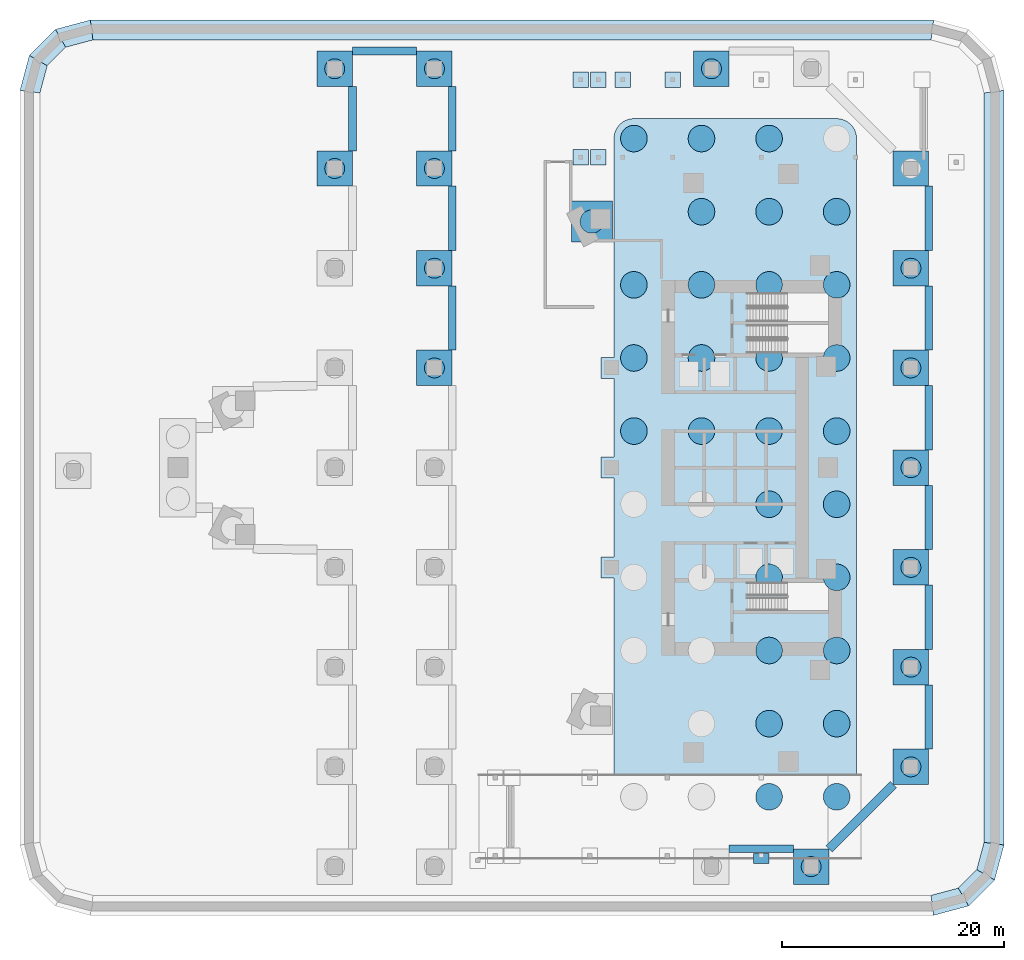
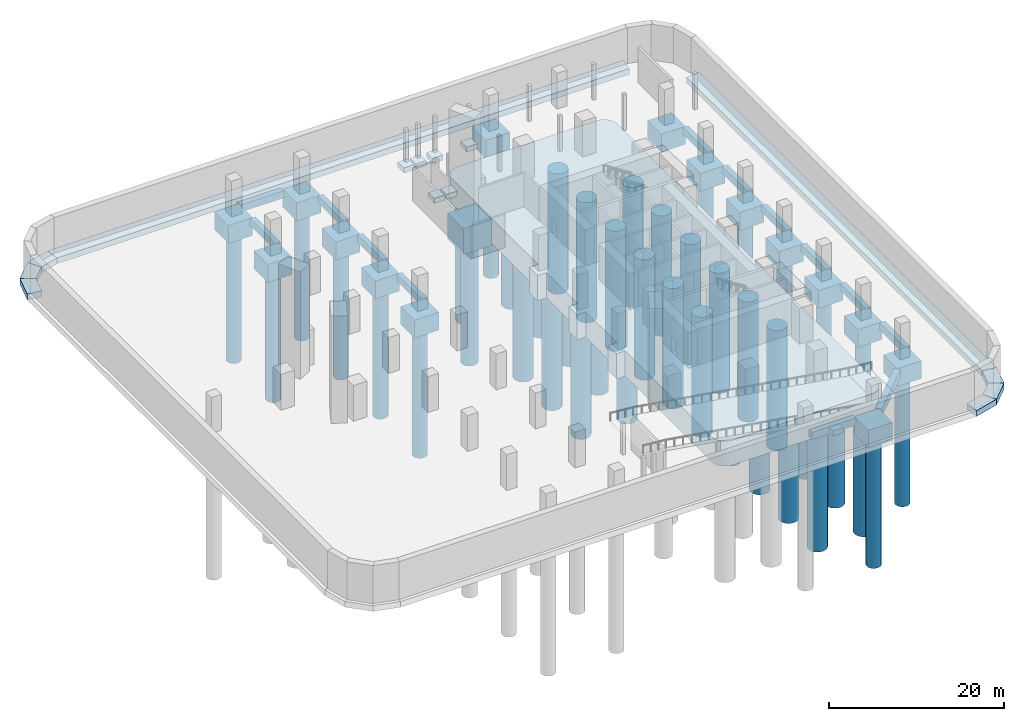
# One storey, part 2 of 11: 45 footings, 43 piles.
"""IFC4 building model written with IfcOpenShell, lengths in metres."""

from ifc_helpers import new_model, si_unit, direction, frame, origin, origin_2d, place, context, subcontext, project, spatial, polyline, circle, outline, extrude, material, layer, layer_set, type_object, element, save


model = new_model("IFC4")

# Units and contexts
model_context = context("Model", 3, precision=1e-05, world=origin(), true_north=direction((0.0, 1.0)))
body_context = subcontext(model_context, "Body", "Model", "MODEL_VIEW")
ifc_project = project(units=[si_unit("LENGTHUNIT", "METRE"), si_unit("AREAUNIT", "SQUARE_METRE"), si_unit("VOLUMEUNIT", "CUBIC_METRE"), si_unit("PLANEANGLEUNIT", "RADIAN"), si_unit("MASSUNIT", "GRAM", prefix="KILO")], contexts=[model_context])

# Site, building, storey
site_placement = place(None, origin())
site = spatial("IfcSite", under=ifc_project, at=site_placement, CompositionType="ELEMENT")
building_placement = place(site_placement, origin())
building = spatial("IfcBuilding", under=site, at=building_placement, Name="Ostrand Prow Hotel Tower", CompositionType="ELEMENT")
storey_placement = place(building_placement, frame((0.0, 0.0, -10.0)))
storey = spatial("IfcBuildingStorey", under=building, at=storey_placement, Name="B2", CompositionType="ELEMENT", Elevation=-10.0)

# Piles
ifc_material_1 = material(Name="Concrete C50/60", Category="concrete")
pile_type_1 = type_object("IfcPileType", Name="Bored caisson D1800", PredefinedType="BORED", material=ifc_material_1)
for number, where, z_axis, x_axis, name in (
    (1, (20.0, 27.0, -2.699951171875), (0.0, 0.0, -1.0), (1.0, 0.0, 0.0), "Caisson 007"),
    (2, (20.0, 36.0, -2.699951171875), (0.0, 0.0, -1.0), (1.0, 0.0, 0.0), "Caisson 008"),
    (3, (29.0, 18.0, -2.699951171875), (0.0, 0.0, -1.0), (1.0, 0.0, 0.0), "Caisson 015"),
    (4, (29.0, 27.0, -2.699951171875), (0.0, 0.0, -1.0), (1.0, 0.0, 0.0), "Caisson 016"),
    (5, (29.0, 36.0, -2.699951171875), (0.0, 0.0, -1.0), (1.0, 0.0, 0.0), "Caisson 017"),
    (6, (29.0, 9.0, -2.699951171875), (0.0, 0.0, -1.0), (1.0, 0.0, 0.0), "Caisson 018"),
    (7, (54.0, 36.0, -2.699951171875), (0.0, 0.0, -1.0), (1.0, 0.0, 0.0), "Caisson 023"),
    (8, (63.0, -36.0, -2.699951171875), (0.0, 0.0, -1.0), (1.0, 0.0, 0.0), "Caisson 026"),
    (9, (72.0, 0.0, -2.699951171875), (0.0, 0.0, -1.0), (1.0, 0.0, 0.0), "Caisson 027"),
    (10, (72.0, 18.0, -2.699951171875), (0.0, 0.0, -1.0), (1.0, 0.0, 0.0), "Caisson 028"),
    (11, (72.0, 9.0, -2.699951171875), (0.0, 0.0, -1.0), (1.0, 0.0, 0.0), "Caisson 030"),
    (12, (72.0, -18.0, -2.699951171875), (0.0, 0.0, -1.0), (1.0, 0.0, 0.0), "Caisson 031"),
    (13, (72.0, -27.0, -2.699951171875), (0.0, 0.0, -1.0), (1.0, 0.0, 0.0), "Caisson 032"),
    (14, (72.0, -9.0, -2.699951171875), (0.0, 0.0, -1.0), (1.0, 0.0, 0.0), "Caisson 033"),
):
    element("IfcPile", number, at=place(storey_placement, frame(where, z_axis=z_axis, x_axis=x_axis)), inside=storey, type_object=pile_type_1, Name=name, PredefinedType="BORED", context=body_context, shape_type="SweptSolid", body=[
        extrude(circle(Radius=0.89990234375, at=origin_2d()), origin(), (0.0, 0.0, 1.0), 17.800048828125),
    ])
ifc_material_2 = material(Name="Concrete C50/60", Category="concrete")
pile_type_2 = type_object("IfcPileType", Name="Bored caisson D2100", PredefinedType="BORED", material=ifc_material_2)
pile_placement = place(storey_placement, frame((43.199951171875, 22.208984375, -3.800048828125), z_axis=(0.0, 0.0, -1.0), x_axis=(1.0, 0.0, 0.0)))
element("IfcPile", 15, at=pile_placement, inside=storey, type_object=pile_type_2, Name="Caisson 001", PredefinedType="BORED", context=body_context, shape_type="SweptSolid", body=[
    extrude(circle(Radius=1.050048828125, at=origin_2d()), origin(), (0.0, 0.0, 1.0), 16.699951171875),
])
ifc_material_3 = material(Name="Concrete C50/60", Category="concrete")
pile_type_3 = type_object("IfcPileType", Name="Bored caisson D2400", PredefinedType="BORED", material=ifc_material_3)
for number, where, z_axis, x_axis, name in (
    (16, (47.0, 3.300048828125, -3.699951171875), (0.0, 0.0, -1.0), (1.0, 0.0, 0.0), "Caisson 041"),
    (17, (47.0, 9.89990234375, -3.699951171875), (0.0, 0.0, -1.0), (1.0, 0.0, 0.0), "Caisson 042"),
    (18, (47.0, 16.5, -3.699951171875), (0.0, 0.0, -1.0), (1.0, 0.0, 0.0), "Caisson 043"),
    (19, (47.0, 29.699951171875, -3.699951171875), (0.0, 0.0, -1.0), (1.0, 0.0, 0.0), "Caisson 044"),
    (20, (53.10009765625, 3.300048828125, -3.699951171875), (0.0, 0.0, -1.0), (1.0, 0.0, 0.0), "Caisson 050"),
    (21, (53.10009765625, 9.89990234375, -3.699951171875), (0.0, 0.0, -1.0), (1.0, 0.0, 0.0), "Caisson 051"),
    (22, (53.10009765625, 16.5, -3.699951171875), (0.0, 0.0, -1.0), (1.0, 0.0, 0.0), "Caisson 052"),
    (23, (53.10009765625, 23.10009765625, -3.699951171875), (0.0, 0.0, -1.0), (1.0, 0.0, 0.0), "Caisson 053"),
    (24, (53.10009765625, 29.699951171875, -3.699951171875), (0.0, 0.0, -1.0), (1.0, 0.0, 0.0), "Caisson 054"),
    (25, (59.199951171875, -29.699951171875, -3.699951171875), (0.0, 0.0, -1.0), (1.0, 0.0, 0.0), "Caisson 055"),
    (26, (59.199951171875, -23.10009765625, -3.699951171875), (0.0, 0.0, -1.0), (1.0, 0.0, 0.0), "Caisson 056"),
    (27, (59.199951171875, -16.5, -3.699951171875), (0.0, 0.0, -1.0), (1.0, 0.0, 0.0), "Caisson 057"),
    (28, (59.199951171875, -9.89990234375, -3.699951171875), (0.0, 0.0, -1.0), (1.0, 0.0, 0.0), "Caisson 058"),
    (29, (59.199951171875, -3.300048828125, -3.699951171875), (0.0, 0.0, -1.0), (1.0, 0.0, 0.0), "Caisson 059"),
    (30, (59.199951171875, 3.300048828125, -3.699951171875), (0.0, 0.0, -1.0), (1.0, 0.0, 0.0), "Caisson 060"),
    (31, (59.199951171875, 9.89990234375, -3.699951171875), (0.0, 0.0, -1.0), (1.0, 0.0, 0.0), "Caisson 061"),
    (32, (59.199951171875, 16.5, -3.699951171875), (0.0, 0.0, -1.0), (1.0, 0.0, 0.0), "Caisson 062"),
    (33, (59.199951171875, 23.10009765625, -3.699951171875), (0.0, 0.0, -1.0), (1.0, 0.0, 0.0), "Caisson 063"),
    (34, (59.199951171875, 29.699951171875, -3.699951171875), (0.0, 0.0, -1.0), (1.0, 0.0, 0.0), "Caisson 064"),
    (35, (65.300048828125, -29.699951171875, -3.699951171875), (0.0, 0.0, -1.0), (1.0, 0.0, 0.0), "Caisson 065"),
    (36, (65.300048828125, -23.10009765625, -3.699951171875), (0.0, 0.0, -1.0), (1.0, 0.0, 0.0), "Caisson 066"),
    (37, (65.300048828125, -16.5, -3.699951171875), (0.0, 0.0, -1.0), (1.0, 0.0, 0.0), "Caisson 067"),
    (38, (65.300048828125, -9.89990234375, -3.699951171875), (0.0, 0.0, -1.0), (1.0, 0.0, 0.0), "Caisson 068"),
    (39, (65.300048828125, -3.300048828125, -3.699951171875), (0.0, 0.0, -1.0), (1.0, 0.0, 0.0), "Caisson 069"),
    (40, (65.300048828125, 3.300048828125, -3.699951171875), (0.0, 0.0, -1.0), (1.0, 0.0, 0.0), "Caisson 070"),
    (41, (65.300048828125, 9.89990234375, -3.699951171875), (0.0, 0.0, -1.0), (1.0, 0.0, 0.0), "Caisson 071"),
    (42, (65.300048828125, 16.5, -3.699951171875), (0.0, 0.0, -1.0), (1.0, 0.0, 0.0), "Caisson 072"),
    (43, (65.300048828125, 23.10009765625, -3.699951171875), (0.0, 0.0, -1.0), (1.0, 0.0, 0.0), "Caisson 073"),
):
    element("IfcPile", number, at=place(storey_placement, frame(where, z_axis=z_axis, x_axis=x_axis)), inside=storey, type_object=pile_type_3, Name=name, PredefinedType="BORED", context=body_context, shape_type="SweptSolid", body=[
        extrude(circle(Radius=1.199951171875, at=origin_2d()), origin(), (0.0, 0.0, 1.0), 16.800048828125),
    ])

# Footings
ifc_material_4 = material(Name="Concrete C40/50", Category="concrete")
footing_type_1 = type_object("IfcFootingType", Name="Ground tie beam 700x1000 C40/50", PredefinedType="FOOTING_BEAM", material=ifc_material_4)
footing_1_placement = place(storey_placement, frame((0.0, 0.0, -1.300048828125)))
element("IfcFooting", 44, at=footing_1_placement, inside=storey, type_object=footing_type_1, Name="Ground tie beam 07", PredefinedType="FOOTING_BEAM", context=body_context, shape_type="SweptSolid", body=[
    extrude(outline(polyline([(21.25, 34.39990234375), (21.949951171875, 34.39990234375), (21.949951171875, 28.60009765625), (21.25, 28.60009765625), (21.25, 34.39990234375)])), origin(), (0.0, 0.0, 1.0), 1.0),
])
footing_2_placement = place(storey_placement, frame((0.0, 0.0, -1.300048828125)))
element("IfcFooting", 45, at=footing_2_placement, inside=storey, type_object=footing_type_1, Name="Ground tie beam 08", PredefinedType="FOOTING_BEAM", context=body_context, shape_type="SweptSolid", body=[
    extrude(outline(polyline([(27.39990234375, 37.949951171875), (27.39990234375, 37.25), (21.60009765625, 37.25), (21.60009765625, 37.949951171875), (27.39990234375, 37.949951171875)])), origin(), (0.0, 0.0, 1.0), 1.0),
])
footing_3_placement = place(storey_placement, frame((0.0, 0.0, -1.300048828125)))
element("IfcFooting", 46, at=footing_3_placement, inside=storey, type_object=footing_type_1, Name="Ground tie beam 13", PredefinedType="FOOTING_BEAM", context=body_context, shape_type="SweptSolid", body=[
    extrude(outline(polyline([(30.25, 25.39990234375), (30.949951171875, 25.39990234375), (30.949951171875, 19.60009765625), (30.25, 19.60009765625), (30.25, 25.39990234375)])), origin(), (0.0, 0.0, 1.0), 1.0),
])
footing_4_placement = place(storey_placement, frame((0.0, 0.0, -1.300048828125)))
element("IfcFooting", 47, at=footing_4_placement, inside=storey, type_object=footing_type_1, Name="Ground tie beam 14", PredefinedType="FOOTING_BEAM", context=body_context, shape_type="SweptSolid", body=[
    extrude(outline(polyline([(30.949951171875, 10.60009765625), (30.25, 10.60009765625), (30.25, 16.39990234375), (30.949951171875, 16.39990234375), (30.949951171875, 10.60009765625)])), origin(), (0.0, 0.0, 1.0), 1.0),
])
footing_5_placement = place(storey_placement, frame((0.0, 0.0, -1.300048828125)))
element("IfcFooting", 48, at=footing_5_placement, inside=storey, type_object=footing_type_1, Name="Ground tie beam 15", PredefinedType="FOOTING_BEAM", context=body_context, shape_type="SweptSolid", body=[
    extrude(outline(polyline([(30.25, 34.39990234375), (30.949951171875, 34.39990234375), (30.949951171875, 28.60009765625), (30.25, 28.60009765625), (30.25, 34.39990234375)])), origin(), (0.0, 0.0, 1.0), 1.0),
])
footing_6_placement = place(storey_placement, frame((0.0, 0.0, -1.300048828125)))
element("IfcFooting", 49, at=footing_6_placement, inside=storey, type_object=footing_type_1, Name="Ground tie beam 21", PredefinedType="FOOTING_BEAM", context=body_context, shape_type="SweptSolid", body=[
    extrude(outline(polyline([(61.39990234375, -34.050048828125), (61.39990234375, -34.75), (55.60009765625, -34.75), (55.60009765625, -34.050048828125), (61.39990234375, -34.050048828125)])), origin(), (0.0, 0.0, 1.0), 1.0),
])
footing_7_placement = place(storey_placement, frame((0.0, 0.0, -1.300048828125)))
element("IfcFooting", 50, at=footing_7_placement, inside=storey, type_object=footing_type_1, Name="Ground tie beam 22", PredefinedType="FOOTING_BEAM", context=body_context, shape_type="SweptSolid", body=[
    extrude(outline(polyline([(73.25, 7.39990234375), (73.949951171875, 7.39990234375), (73.949951171875, 1.60009765625), (73.25, 1.60009765625), (73.25, 7.39990234375)])), origin(), (0.0, 0.0, 1.0), 1.0),
])
footing_8_placement = place(storey_placement, frame((0.0, 0.0, -1.300048828125)))
element("IfcFooting", 51, at=footing_8_placement, inside=storey, type_object=footing_type_1, Name="Ground tie beam 23", PredefinedType="FOOTING_BEAM", context=body_context, shape_type="SweptSolid", body=[
    extrude(outline(polyline([(73.949951171875, -7.39990234375), (73.25, -7.39990234375), (73.25, -1.60009765625), (73.949951171875, -1.60009765625), (73.949951171875, -7.39990234375)])), origin(), (0.0, 0.0, 1.0), 1.0),
])
footing_9_placement = place(storey_placement, frame((0.0, 0.0, -1.300048828125)))
element("IfcFooting", 52, at=footing_9_placement, inside=storey, type_object=footing_type_1, Name="Ground tie beam 24", PredefinedType="FOOTING_BEAM", context=body_context, shape_type="SweptSolid", body=[
    extrude(outline(polyline([(73.25, 25.39990234375), (73.949951171875, 25.39990234375), (73.949951171875, 19.60009765625), (73.25, 19.60009765625), (73.25, 25.39990234375)])), origin(), (0.0, 0.0, 1.0), 1.0),
])
footing_10_placement = place(storey_placement, frame((0.0, 0.0, -1.300048828125)))
element("IfcFooting", 53, at=footing_10_placement, inside=storey, type_object=footing_type_1, Name="Ground tie beam 25", PredefinedType="FOOTING_BEAM", context=body_context, shape_type="SweptSolid", body=[
    extrude(outline(polyline([(73.949951171875, 10.60009765625), (73.25, 10.60009765625), (73.25, 16.39990234375), (73.949951171875, 16.39990234375), (73.949951171875, 10.60009765625)])), origin(), (0.0, 0.0, 1.0), 1.0),
])
footing_11_placement = place(storey_placement, frame((0.0, 0.0, -1.300048828125)))
element("IfcFooting", 54, at=footing_11_placement, inside=storey, type_object=footing_type_1, Name="Ground tie beam 26", PredefinedType="FOOTING_BEAM", context=body_context, shape_type="SweptSolid", body=[
    extrude(outline(polyline([(73.25, -10.60009765625), (73.949951171875, -10.60009765625), (73.949951171875, -16.39990234375), (73.25, -16.39990234375), (73.25, -10.60009765625)])), origin(), (0.0, 0.0, 1.0), 1.0),
])
footing_12_placement = place(storey_placement, frame((0.0, 0.0, -1.300048828125)))
element("IfcFooting", 55, at=footing_12_placement, inside=storey, type_object=footing_type_1, Name="Ground tie beam 27", PredefinedType="FOOTING_BEAM", context=body_context, shape_type="SweptSolid", body=[
    extrude(outline(polyline([(73.25, -19.60009765625), (73.949951171875, -19.60009765625), (73.949951171875, -25.39990234375), (73.25, -25.39990234375), (73.25, -19.60009765625)])), origin(), (0.0, 0.0, 1.0), 1.0),
])
ifc_material_5 = material(Name="Concrete C40/50", Category="concrete")
footing_type_2 = type_object("IfcFootingType", Name="Ground tie beam 800x1100 C40/50", PredefinedType="FOOTING_BEAM", material=ifc_material_5)
footing_13_placement = place(storey_placement, frame((0.0, 0.0, -1.39990234375)))
element("IfcFooting", 56, at=footing_13_placement, inside=storey, type_object=footing_type_2, Name="Ground tie beam 29", PredefinedType="FOOTING_BEAM", context=body_context, shape_type="SweptSolid", body=[
    extrude(outline(polyline([(70.1171875, -28.317138671875), (70.682861328125, -28.8828125), (64.8828125, -34.682861328125), (64.317138671875, -34.1171875), (70.1171875, -28.317138671875)])), origin(), (0.0, 0.0, 1.0), 1.099853515625),
])
ifc_material_6 = material(Name="Concrete C40/50", Category="concrete")
ifc_layer_1 = layer(ifc_material_6, 0.699951171875)
ifc_layer_set_1 = layer_set([ifc_layer_1], Name="Concrete C40/50")
footing_type_3 = type_object("IfcFootingType", Name="Pad footing 1400x1400 C40/50", PredefinedType="PAD_FOOTING", material=ifc_layer_set_1)
footing_14_placement = place(storey_placement, frame((0.0, 0.0, -1.0)))
element("IfcFooting", 57, at=footing_14_placement, inside=storey, type_object=footing_type_3, Name="Ramp support pad footing", PredefinedType="PAD_FOOTING", context=body_context, shape_type="SweptSolid", body=[
    extrude(outline(polyline([(41.5, 27.300048828125), (42.89990234375, 27.300048828125), (42.89990234375, 28.699951171875), (41.5, 28.699951171875), (41.5, 27.300048828125)])), origin(), (0.0, 0.0, 1.0), 0.699951171875),
])
footing_15_placement = place(storey_placement, frame((0.0, 0.0, -1.0)))
element("IfcFooting", 58, at=footing_15_placement, inside=storey, type_object=footing_type_3, Name="Ramp support pad footing", PredefinedType="PAD_FOOTING", context=body_context, shape_type="SweptSolid", body=[
    extrude(outline(polyline([(41.5, 34.300048828125), (42.89990234375, 34.300048828125), (42.89990234375, 35.699951171875), (41.5, 35.699951171875), (41.5, 34.300048828125)])), origin(), (0.0, 0.0, 1.0), 0.699951171875),
])
footing_16_placement = place(storey_placement, frame((0.0, 0.0, -1.0)))
element("IfcFooting", 59, at=footing_16_placement, inside=storey, type_object=footing_type_3, Name="Ramp support pad footing", PredefinedType="PAD_FOOTING", context=body_context, shape_type="SweptSolid", body=[
    extrude(outline(polyline([(43.10009765625, 27.300048828125), (44.5, 27.300048828125), (44.5, 28.699951171875), (43.10009765625, 28.699951171875), (43.10009765625, 27.300048828125)])), origin(), (0.0, 0.0, 1.0), 0.699951171875),
])
footing_17_placement = place(storey_placement, frame((0.0, 0.0, -1.0)))
element("IfcFooting", 60, at=footing_17_placement, inside=storey, type_object=footing_type_3, Name="Ramp support pad footing", PredefinedType="PAD_FOOTING", context=body_context, shape_type="SweptSolid", body=[
    extrude(outline(polyline([(43.10009765625, 34.300048828125), (44.5, 34.300048828125), (44.5, 35.699951171875), (43.10009765625, 35.699951171875), (43.10009765625, 34.300048828125)])), origin(), (0.0, 0.0, 1.0), 0.699951171875),
])
footing_18_placement = place(storey_placement, frame((0.0, 0.0, -1.0)))
element("IfcFooting", 61, at=footing_18_placement, inside=storey, type_object=footing_type_3, Name="Ramp support pad footing", PredefinedType="PAD_FOOTING", context=body_context, shape_type="SweptSolid", body=[
    extrude(outline(polyline([(45.300048828125, 34.300048828125), (46.699951171875, 34.300048828125), (46.699951171875, 35.699951171875), (45.300048828125, 35.699951171875), (45.300048828125, 34.300048828125)])), origin(), (0.0, 0.0, 1.0), 0.699951171875),
])
footing_19_placement = place(storey_placement, frame((0.0, 0.0, -1.0)))
element("IfcFooting", 62, at=footing_19_placement, inside=storey, type_object=footing_type_3, Name="Ramp support pad footing", PredefinedType="PAD_FOOTING", context=body_context, shape_type="SweptSolid", body=[
    extrude(outline(polyline([(49.800048828125, 34.300048828125), (51.199951171875, 34.300048828125), (51.199951171875, 35.699951171875), (49.800048828125, 35.699951171875), (49.800048828125, 34.300048828125)])), origin(), (0.0, 0.0, 1.0), 0.699951171875),
])
footing_20_placement = place(storey_placement, frame((0.0, 0.0, -1.0)))
element("IfcFooting", 63, at=footing_20_placement, inside=storey, type_object=footing_type_3, Name="Ramp support pad footing", PredefinedType="PAD_FOOTING", context=body_context, shape_type="SweptSolid", body=[
    extrude(outline(polyline([(59.199951171875, -35.699951171875), (57.800048828125, -35.699951171875), (57.800048828125, -34.800048828125), (59.199951171875, -34.800048828125), (59.199951171875, -35.699951171875)])), origin(), (0.0, 0.0, 1.0), 0.699951171875),
])
ifc_material_7 = material(Name="Concrete C50/60", Category="concrete")
ifc_layer_2 = layer(ifc_material_7, 2.5)
ifc_layer_set_2 = layer_set([ifc_layer_2], Name="Concrete C50/60")
footing_type_4 = type_object("IfcFootingType", Name="Pile cap 2500 C50/60", PredefinedType="PILE_CAP", material=ifc_layer_set_2)
footing_21_placement = place(storey_placement, frame((0.0, 0.0, -2.800048828125)))
element("IfcFooting", 64, at=footing_21_placement, inside=storey, type_object=footing_type_4, Name="Pile cap CAP-IC-20N27", PredefinedType="PILE_CAP", context=body_context, shape_type="SweptSolid", body=[
    extrude(outline(polyline([(21.60009765625, 25.39990234375), (21.60009765625, 28.60009765625), (18.39990234375, 28.60009765625), (18.39990234375, 25.39990234375), (21.60009765625, 25.39990234375)])), origin(), (0.0, 0.0, 1.0), 2.5),
])
footing_22_placement = place(storey_placement, frame((0.0, 0.0, -2.800048828125)))
element("IfcFooting", 65, at=footing_22_placement, inside=storey, type_object=footing_type_4, Name="Pile cap CAP-IC-20N36", PredefinedType="PILE_CAP", context=body_context, shape_type="SweptSolid", body=[
    extrude(outline(polyline([(21.60009765625, 34.39990234375), (21.60009765625, 37.60009765625), (18.39990234375, 37.60009765625), (18.39990234375, 34.39990234375), (21.60009765625, 34.39990234375)])), origin(), (0.0, 0.0, 1.0), 2.5),
])
footing_23_placement = place(storey_placement, frame((0.0, 0.0, -2.800048828125)))
element("IfcFooting", 66, at=footing_23_placement, inside=storey, type_object=footing_type_4, Name="Pile cap CAP-IC-29N18", PredefinedType="PILE_CAP", context=body_context, shape_type="SweptSolid", body=[
    extrude(outline(polyline([(30.60009765625, 16.39990234375), (30.60009765625, 19.60009765625), (27.39990234375, 19.60009765625), (27.39990234375, 16.39990234375), (30.60009765625, 16.39990234375)])), origin(), (0.0, 0.0, 1.0), 2.5),
])
footing_24_placement = place(storey_placement, frame((0.0, 0.0, -2.800048828125)))
element("IfcFooting", 67, at=footing_24_placement, inside=storey, type_object=footing_type_4, Name="Pile cap CAP-IC-29N27", PredefinedType="PILE_CAP", context=body_context, shape_type="SweptSolid", body=[
    extrude(outline(polyline([(30.60009765625, 25.39990234375), (30.60009765625, 28.60009765625), (27.39990234375, 28.60009765625), (27.39990234375, 25.39990234375), (30.60009765625, 25.39990234375)])), origin(), (0.0, 0.0, 1.0), 2.5),
])
footing_25_placement = place(storey_placement, frame((0.0, 0.0, -2.800048828125)))
element("IfcFooting", 68, at=footing_25_placement, inside=storey, type_object=footing_type_4, Name="Pile cap CAP-IC-29N36", PredefinedType="PILE_CAP", context=body_context, shape_type="SweptSolid", body=[
    extrude(outline(polyline([(30.60009765625, 34.39990234375), (30.60009765625, 37.60009765625), (27.39990234375, 37.60009765625), (27.39990234375, 34.39990234375), (30.60009765625, 34.39990234375)])), origin(), (0.0, 0.0, 1.0), 2.5),
])
footing_26_placement = place(storey_placement, frame((0.0, 0.0, -2.800048828125)))
element("IfcFooting", 69, at=footing_26_placement, inside=storey, type_object=footing_type_4, Name="Pile cap CAP-IC-29N9", PredefinedType="PILE_CAP", context=body_context, shape_type="SweptSolid", body=[
    extrude(outline(polyline([(30.60009765625, 7.39990234375), (30.60009765625, 10.60009765625), (27.39990234375, 10.60009765625), (27.39990234375, 7.39990234375), (30.60009765625, 7.39990234375)])), origin(), (0.0, 0.0, 1.0), 2.5),
])
footing_27_placement = place(storey_placement, frame((0.0, 0.0, -2.800048828125)))
element("IfcFooting", 70, at=footing_27_placement, inside=storey, type_object=footing_type_4, Name="Pile cap CAP-IC-54N36", PredefinedType="PILE_CAP", context=body_context, shape_type="SweptSolid", body=[
    extrude(outline(polyline([(55.60009765625, 34.39990234375), (55.60009765625, 37.60009765625), (52.39990234375, 37.60009765625), (52.39990234375, 34.39990234375), (55.60009765625, 34.39990234375)])), origin(), (0.0, 0.0, 1.0), 2.5),
])
footing_28_placement = place(storey_placement, frame((0.0, 0.0, -2.800048828125)))
element("IfcFooting", 71, at=footing_28_placement, inside=storey, type_object=footing_type_4, Name="Pile cap CAP-IC-63S36", PredefinedType="PILE_CAP", context=body_context, shape_type="SweptSolid", body=[
    extrude(outline(polyline([(64.60009765625, -37.60009765625), (64.60009765625, -34.39990234375), (61.39990234375, -34.39990234375), (61.39990234375, -37.60009765625), (64.60009765625, -37.60009765625)])), origin(), (0.0, 0.0, 1.0), 2.5),
])
footing_29_placement = place(storey_placement, frame((0.0, 0.0, -2.800048828125)))
element("IfcFooting", 72, at=footing_29_placement, inside=storey, type_object=footing_type_4, Name="Pile cap CAP-IC-72S27", PredefinedType="PILE_CAP", context=body_context, shape_type="SweptSolid", body=[
    extrude(outline(polyline([(73.60009765625, -28.60009765625), (73.60009765625, -25.39990234375), (70.39990234375, -25.39990234375), (70.39990234375, -28.60009765625), (73.60009765625, -28.60009765625)])), origin(), (0.0, 0.0, 1.0), 2.5),
])
footing_30_placement = place(storey_placement, frame((0.0, 0.0, -2.800048828125)))
element("IfcFooting", 73, at=footing_30_placement, inside=storey, type_object=footing_type_4, Name="Pile cap CAP-IC-72S18", PredefinedType="PILE_CAP", context=body_context, shape_type="SweptSolid", body=[
    extrude(outline(polyline([(73.60009765625, -19.60009765625), (73.60009765625, -16.39990234375), (70.39990234375, -16.39990234375), (70.39990234375, -19.60009765625), (73.60009765625, -19.60009765625)])), origin(), (0.0, 0.0, 1.0), 2.5),
])
footing_31_placement = place(storey_placement, frame((0.0, 0.0, -2.800048828125)))
element("IfcFooting", 74, at=footing_31_placement, inside=storey, type_object=footing_type_4, Name="Pile cap CAP-IC-72C0", PredefinedType="PILE_CAP", context=body_context, shape_type="SweptSolid", body=[
    extrude(outline(polyline([(73.60009765625, -1.60009765625), (73.60009765625, 1.60009765625), (70.39990234375, 1.60009765625), (70.39990234375, -1.60009765625), (73.60009765625, -1.60009765625)])), origin(), (0.0, 0.0, 1.0), 2.5),
])
footing_32_placement = place(storey_placement, frame((0.0, 0.0, -2.800048828125)))
element("IfcFooting", 75, at=footing_32_placement, inside=storey, type_object=footing_type_4, Name="Pile cap CAP-IC-72N18", PredefinedType="PILE_CAP", context=body_context, shape_type="SweptSolid", body=[
    extrude(outline(polyline([(73.60009765625, 16.39990234375), (73.60009765625, 19.60009765625), (70.39990234375, 19.60009765625), (70.39990234375, 16.39990234375), (73.60009765625, 16.39990234375)])), origin(), (0.0, 0.0, 1.0), 2.5),
])
footing_33_placement = place(storey_placement, frame((0.0, 0.0, -2.800048828125)))
element("IfcFooting", 76, at=footing_33_placement, inside=storey, type_object=footing_type_4, Name="Pile cap CAP-IC-72N27", PredefinedType="PILE_CAP", context=body_context, shape_type="SweptSolid", body=[
    extrude(outline(polyline([(73.60009765625, 25.39990234375), (73.60009765625, 28.60009765625), (70.39990234375, 28.60009765625), (70.39990234375, 25.39990234375), (73.60009765625, 25.39990234375)])), origin(), (0.0, 0.0, 1.0), 2.5),
])
footing_34_placement = place(storey_placement, frame((0.0, 0.0, -2.800048828125)))
element("IfcFooting", 77, at=footing_34_placement, inside=storey, type_object=footing_type_4, Name="Pile cap CAP-IC-72S9", PredefinedType="PILE_CAP", context=body_context, shape_type="SweptSolid", body=[
    extrude(outline(polyline([(73.60009765625, -10.60009765625), (73.60009765625, -7.39990234375), (70.39990234375, -7.39990234375), (70.39990234375, -10.60009765625), (73.60009765625, -10.60009765625)])), origin(), (0.0, 0.0, 1.0), 2.5),
])
footing_35_placement = place(storey_placement, frame((0.0, 0.0, -2.800048828125)))
element("IfcFooting", 78, at=footing_35_placement, inside=storey, type_object=footing_type_4, Name="Pile cap CAP-IC-72N9", PredefinedType="PILE_CAP", context=body_context, shape_type="SweptSolid", body=[
    extrude(outline(polyline([(73.60009765625, 7.39990234375), (73.60009765625, 10.60009765625), (70.39990234375, 10.60009765625), (70.39990234375, 7.39990234375), (73.60009765625, 7.39990234375)])), origin(), (0.0, 0.0, 1.0), 2.5),
])
ifc_material_8 = material(Name="Concrete C50/60", Category="concrete")
ifc_layer_3 = layer(ifc_material_8, 3.5)
ifc_layer_set_3 = layer_set([ifc_layer_3], Name="Concrete C50/60")
footing_type_5 = type_object("IfcFootingType", Name="Pile cap 3500 C50/60", PredefinedType="PILE_CAP", material=ifc_layer_set_3)
footing_36_placement = place(storey_placement, frame((0.0, 0.0, -3.800048828125)))
element("IfcFooting", 79, at=footing_36_placement, inside=storey, type_object=footing_type_5, Name="Piled raft", PredefinedType="PILE_CAP", context=body_context, shape_type="SweptSolid", body=[
    extrude(outline(polyline([(44.050048828125, 0.949951171875), (45.20068359375, 0.949951171875), (45.20068359375, 8.050048828125), (44.050048828125, 8.050048828125), (44.050048828125, 9.949951171875), (45.200439453125, 9.949951171875), (45.199951171875, 29.699951171875), (45.217529296875, 29.949462890625), (45.2734375, 30.20849609375), (45.36669921875, 30.456298828125), (45.495361328125, 30.687744140625), (45.656494140625, 30.897705078125), (45.86962890625, 31.1005859375), (46.08740234375, 31.251220703125), (46.3798828125, 31.3896484375), (46.634521484375, 31.46240234375), (46.89697265625, 31.496826171875), (65.300048828125, 31.5), (65.549560546875, 31.482421875), (65.808349609375, 31.426513671875), (66.05615234375, 31.333251953125), (66.312255859375, 31.188232421875), (66.562255859375, 30.983154296875), (66.73681640625, 30.783935546875), (66.894287109375, 30.535400390625), (66.99951171875, 30.29248046875), (67.068115234375, 30.03662109375), (67.099853515625, 29.714599609375), (67.10009765625, -29.699951171875), (67.08251953125, -29.949462890625), (67.026611328125, -30.20849609375), (66.933349609375, -30.456298828125), (66.8046875, -30.687744140625), (66.6435546875, -30.897705078125), (66.430419921875, -31.1005859375), (66.161376953125, -31.280517578125), (65.920166015625, -31.3896484375), (65.66552734375, -31.46240234375), (65.403076171875, -31.496826171875), (47.0, -31.5), (46.663330078125, -31.468017578125), (46.32470703125, -31.368408203125), (46.01220703125, -31.20458984375), (45.73779296875, -30.983154296875), (45.51171875, -30.712158203125), (45.3427734375, -30.40234375), (45.25048828125, -30.123046875), (45.20166015625, -29.773681640625), (45.201171875, -9.949951171875), (44.050048828125, -9.949951171875), (44.050048828125, -8.050048828125), (45.200927734375, -8.050048828125), (45.20068359375, -0.949951171875), (44.050048828125, -0.949951171875), (44.050048828125, 0.949951171875)])), origin(), (0.0, 0.0, 1.0), 3.5),
])
ifc_material_9 = material(Name="Concrete C50/60", Category="concrete")
ifc_layer_4 = layer(ifc_material_9, 3.60009765625)
ifc_layer_set_4 = layer_set([ifc_layer_4], Name="Concrete C50/60")
footing_type_6 = type_object("IfcFootingType", Name="Pile cap 3600 C50/60", PredefinedType="PILE_CAP", material=ifc_layer_set_4)
footing_37_placement = place(storey_placement, frame((0.0, 0.0, -3.89990234375)))
element("IfcFooting", 80, at=footing_37_placement, inside=storey, type_object=footing_type_6, Name="Pile cap CAP-AP-NE", PredefinedType="PILE_CAP", context=body_context, shape_type="SweptSolid", body=[
    extrude(outline(polyline([(45.050048828125, 20.359619140625), (45.050048828125, 24.0595703125), (41.35009765625, 24.0595703125), (41.35009765625, 20.359619140625), (45.050048828125, 20.359619140625)])), origin(), (0.0, 0.0, 1.0), 3.599853515625),
])
ifc_material_10 = material(Name="Concrete C40/50", Category="concrete")
ifc_layer_5 = layer(ifc_material_10, 0.800048828125)
ifc_layer_set_5 = layer_set([ifc_layer_5], Name="Concrete C40/50")
footing_type_7 = type_object("IfcFootingType", Name="Strip footing 800 C40/50", PredefinedType="STRIP_FOOTING", material=ifc_layer_set_5)
footing_38_placement = place(storey_placement, frame((0.0, 0.0, -1.10009765625)))
element("IfcFooting", 81, at=footing_38_placement, inside=storey, type_object=footing_type_7, Name="Strip footing 06 under retaining walls", PredefinedType="STRIP_FOOTING", context=body_context, shape_type="SweptSolid", body=[
    extrude(outline(polyline([(77.19921875, -39.541259765625), (77.1689453125, -39.55859375), (77.103515625, -39.58251953125), (74.103515625, -40.386474609375), (74.0517578125, -40.393310546875), (73.815673828125, -38.60009765625), (76.275390625, -37.94091796875), (76.275390625, -37.94091796875), (77.19921875, -39.541259765625)])), origin(), (0.0, 0.0, 1.0), 0.800048828125),
])
footing_39_placement = place(storey_placement, frame((0.0, 0.0, -1.10009765625)))
element("IfcFooting", 82, at=footing_39_placement, inside=storey, type_object=footing_type_7, Name="Strip footing 07 under retaining walls", PredefinedType="STRIP_FOOTING", context=body_context, shape_type="SweptSolid", body=[
    extrude(outline(polyline([(79.541259765625, -37.19921875), (79.523681640625, -37.2294921875), (79.47900390625, -37.28271484375), (77.28271484375, -39.47900390625), (77.2294921875, -39.523681640625), (77.19921875, -39.541259765625), (76.275390625, -37.94091796875), (77.94091796875, -36.275390625), (79.541259765625, -37.19921875)])), origin(), (0.0, 0.0, 1.0), 0.800048828125),
])
footing_40_placement = place(storey_placement, frame((0.0, 0.0, -1.10009765625)))
element("IfcFooting", 83, at=footing_40_placement, inside=storey, type_object=footing_type_7, Name="Strip footing 08 under retaining walls", PredefinedType="STRIP_FOOTING", context=body_context, shape_type="SweptSolid", body=[
    extrude(outline(polyline([(80.393310546875, -34.0517578125), (80.386474609375, -34.103515625), (79.58251953125, -37.103515625), (79.55859375, -37.1689453125), (79.541259765625, -37.19921875), (77.94091796875, -36.275390625), (78.60009765625, -33.815673828125), (78.60009765625, -33.815673828125), (80.393310546875, -34.0517578125)])), origin(), (0.0, 0.0, 1.0), 0.800048828125),
])
footing_41_placement = place(storey_placement, frame((0.0, 0.0, -1.10009765625)))
element("IfcFooting", 84, at=footing_41_placement, inside=storey, type_object=footing_type_7, Name="Strip footing 09 under retaining walls", PredefinedType="STRIP_FOOTING", context=body_context, shape_type="SweptSolid", body=[
    extrude(outline(polyline([(80.393310546875, 34.0517578125), (80.39990234375, 34.0), (80.39990234375, -34.0), (80.393310546875, -34.0517578125), (78.60009765625, -33.815673828125), (78.60009765625, 33.815673828125), (80.393310546875, 34.0517578125)])), origin(), (0.0, 0.0, 1.0), 0.800048828125),
])
footing_42_placement = place(storey_placement, frame((0.0, 0.0, -1.10009765625)))
element("IfcFooting", 85, at=footing_42_placement, inside=storey, type_object=footing_type_7, Name="Strip footing 13 under retaining walls", PredefinedType="STRIP_FOOTING", context=body_context, shape_type="SweptSolid", body=[
    extrude(outline(polyline([(-2.0517578125, 40.393310546875), (-2.0, 40.39990234375), (74.0, 40.39990234375), (74.0517578125, 40.393310546875), (73.815673828125, 38.60009765625), (73.815673828125, 38.60009765625), (-1.815673828125, 38.60009765625), (-1.815673828125, 38.60009765625), (-2.0517578125, 40.393310546875)])), origin(), (0.0, 0.0, 1.0), 0.800048828125),
])
footing_43_placement = place(storey_placement, frame((0.0, 0.0, -1.10009765625)))
element("IfcFooting", 86, at=footing_43_placement, inside=storey, type_object=footing_type_7, Name="Strip footing 14 under retaining walls", PredefinedType="STRIP_FOOTING", context=body_context, shape_type="SweptSolid", body=[
    extrude(outline(polyline([(-5.19921875, 39.541259765625), (-5.1689453125, 39.55859375), (-5.103515625, 39.58251953125), (-2.103515625, 40.386474609375), (-2.0517578125, 40.393310546875), (-1.815673828125, 38.60009765625), (-4.275390625, 37.94091796875), (-5.19921875, 39.541259765625)])), origin(), (0.0, 0.0, 1.0), 0.800048828125),
])
footing_44_placement = place(storey_placement, frame((0.0, 0.0, -1.10009765625)))
element("IfcFooting", 87, at=footing_44_placement, inside=storey, type_object=footing_type_7, Name="Strip footing 15 under retaining walls", PredefinedType="STRIP_FOOTING", context=body_context, shape_type="SweptSolid", body=[
    extrude(outline(polyline([(-7.541259765625, 37.19921875), (-7.523681640625, 37.2294921875), (-7.47900390625, 37.28271484375), (-5.28271484375, 39.47900390625), (-5.2294921875, 39.523681640625), (-5.19921875, 39.541259765625), (-4.275390625, 37.94091796875), (-4.275390625, 37.94091796875), (-5.94091796875, 36.275390625), (-7.541259765625, 37.19921875)])), origin(), (0.0, 0.0, 1.0), 0.800048828125),
])
footing_45_placement = place(storey_placement, frame((0.0, 0.0, -1.10009765625)))
element("IfcFooting", 88, at=footing_45_placement, inside=storey, type_object=footing_type_7, Name="Strip footing 16 under retaining walls", PredefinedType="STRIP_FOOTING", context=body_context, shape_type="SweptSolid", body=[
    extrude(outline(polyline([(-8.393310546875, 34.0517578125), (-8.386474609375, 34.103515625), (-7.58251953125, 37.103515625), (-7.55859375, 37.1689453125), (-7.541259765625, 37.19921875), (-5.94091796875, 36.275390625), (-5.94091796875, 36.275390625), (-6.60009765625, 33.815673828125), (-8.393310546875, 34.0517578125)])), origin(), (0.0, 0.0, 1.0), 0.800048828125),
])

save(model, "model.ifc")
